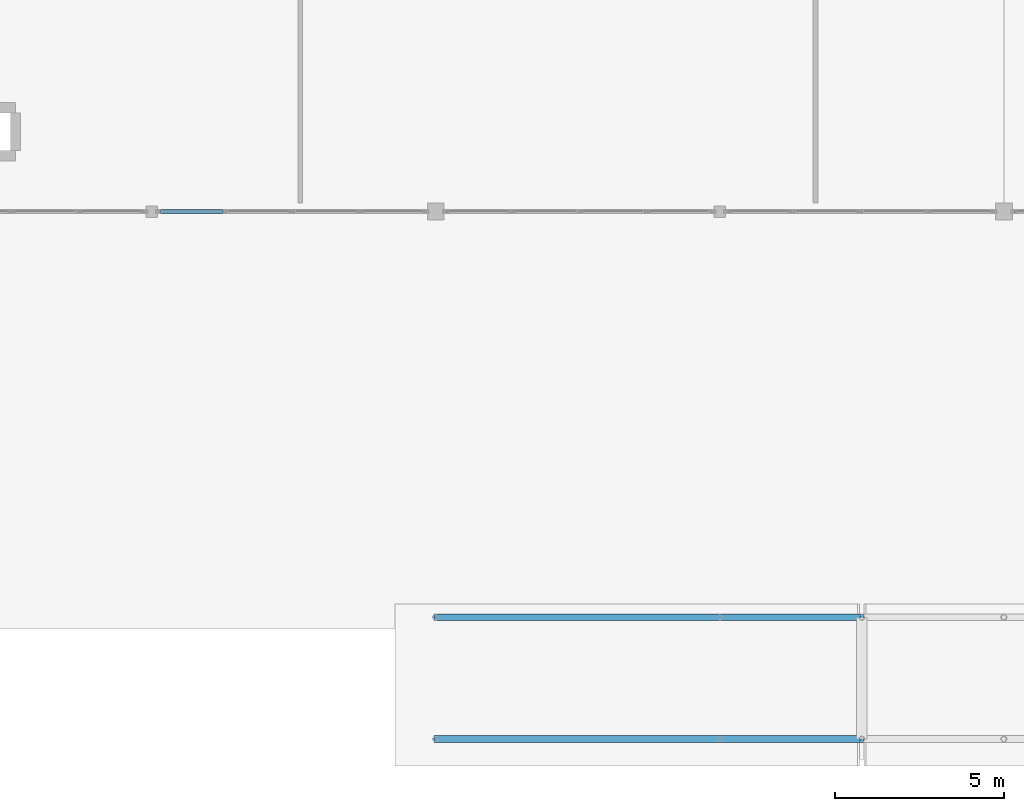
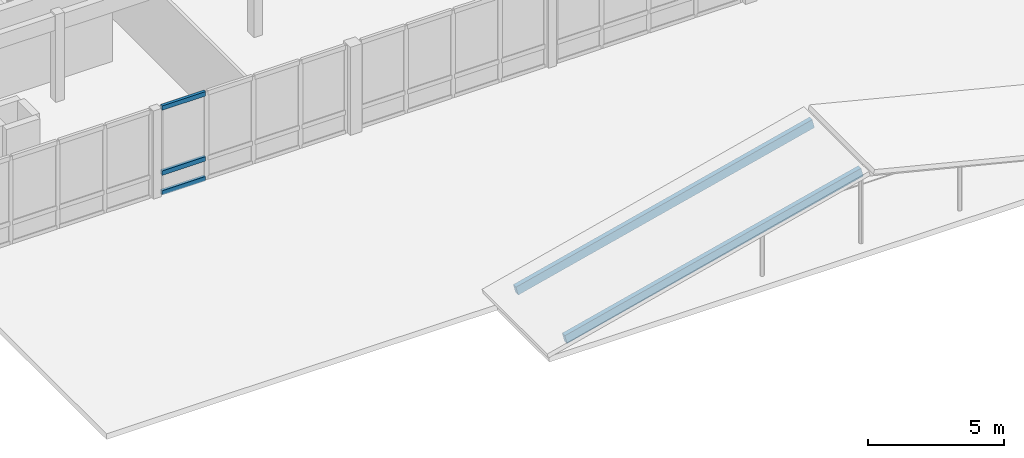
# One storey, part 39 of 217: 5 members, 1 element without a shape of its own.
"""IFC4 building model written with IfcOpenShell, lengths in metres."""

from ifc_helpers import new_model, si_unit, direction, frame, origin, origin_2d, place, context, subcontext, project, spatial, rectangle, hollow_rectangle, extrude, material, layer, layer_set, material_profile, profile_set, type_object, element, aggregate, save


model = new_model("IFC4")

# Units and contexts
model_context = context("Model", 3, precision=1e-05, world=origin(), true_north=direction((0.0, 1.0)))
body_context = subcontext(model_context, "Body", "Model", "MODEL_VIEW")
ifc_project = project(units=[si_unit("LENGTHUNIT", "METRE"), si_unit("AREAUNIT", "SQUARE_METRE"), si_unit("VOLUMEUNIT", "CUBIC_METRE"), si_unit("PLANEANGLEUNIT", "RADIAN"), si_unit("MASSUNIT", "GRAM", prefix="KILO")], contexts=[model_context])

# Site, building, storey
site_placement = place(None, origin())
site = spatial("IfcSite", under=ifc_project, at=site_placement, CompositionType="ELEMENT")
building_placement = place(site_placement, origin())
building = spatial("IfcBuilding", under=site, at=building_placement, Name="Mazaris Harbour Polytechnic", CompositionType="ELEMENT")
storey_placement = place(building_placement, frame((0.0, 0.0, 9.60009765625)))
storey = spatial("IfcBuildingStorey", under=building, at=storey_placement, Name="L02", CompositionType="ELEMENT", Elevation=9.60009765625)

# Curtain wall, members
ifc_material_1 = material(Name="Anodised Bronze Aluminium and Low-E Glass", Category="aluminium")
ifc_layer = layer(ifc_material_1, 0.179931640625, Name="Anodised Bronze Aluminium and Low-E Glass")
ifc_layer_set = layer_set([ifc_layer], Name="Anodised Bronze Aluminium and Low-E Glass")
curtain_wall_type = type_object("IfcCurtainWallType", Name="Harbour Colonnade Curtain Wall", PredefinedType="NOTDEFINED", material=ifc_layer_set)
curtain_wall_placement = place(storey_placement, origin())
curtain_wall = element("IfcCurtainWall", 1, at=curtain_wall_placement, inside=storey, type_object=curtain_wall_type, Name="V3 L02 Curtain Wall 80", PredefinedType="NOTDEFINED")
ifc_material_2 = material(Name="Anodised Bronze Steel S355", Category="steel")
ifc_material_profile_1 = material_profile(ifc_material_2, hollow_rectangle(XDim=0.1201171875, YDim=0.199951171875, WallThickness=0.008056640625, at=origin_2d()), Name="RHS 120x200x8.0")
ifc_profile_set_1 = profile_set([ifc_material_profile_1], Name="Anodised Bronze Steel S355")
member_type_1 = type_object("IfcMemberType", Name="Curtain Transom RHS120x200", PredefinedType="USERDEFINED", material=ifc_profile_set_1)
member_1_placement = place(storey_placement, frame((64.510986328125, 14.39990234375, 0.059814453125), z_axis=(-1.0, 0.0, 0.0), x_axis=(0.0, -1.0, 0.0)))
member_1 = element("IfcMember", 2, at=member_1_placement, type_object=member_type_1, Name="CW-01 transom 4.1", ObjectType="TRANSOM", PredefinedType="USERDEFINED", context=body_context, shape_type="SweptSolid", body=[
    extrude(hollow_rectangle(XDim=0.1201171875, YDim=0.199951171875, WallThickness=0.008056640625, at=origin_2d()), origin(), (0.0, 0.0, 1.0), 1.848876953125),
])
member_2_placement = place(storey_placement, frame((64.510986328125, 14.39990234375, 0.949951171875), z_axis=(-1.0, 0.0, 0.0), x_axis=(0.0, -1.0, 0.0)))
member_2 = element("IfcMember", 3, at=member_2_placement, type_object=member_type_1, Name="CW-01 transom 4.2", ObjectType="TRANSOM", PredefinedType="USERDEFINED", context=body_context, shape_type="SweptSolid", body=[
    extrude(hollow_rectangle(XDim=0.1201171875, YDim=0.199951171875, WallThickness=0.008056640625, at=origin_2d()), origin(), (0.0, 0.0, 1.0), 1.848876953125),
])
member_3_placement = place(storey_placement, frame((64.510986328125, 14.39990234375, 3.875), z_axis=(-1.0, 0.0, 0.0), x_axis=(0.0, -1.0, 0.0)))
member_3 = element("IfcMember", 4, at=member_3_placement, type_object=member_type_1, Name="CW-01 transom 4.3", ObjectType="TRANSOM", PredefinedType="USERDEFINED", context=body_context, shape_type="SweptSolid", body=[
    extrude(hollow_rectangle(XDim=0.1201171875, YDim=0.199951171875, WallThickness=0.008056640625, at=origin_2d()), origin(), (0.0, 0.0, 1.0), 1.848876953125),
])
aggregate(curtain_wall, [member_1, member_2, member_3])

# Members
ifc_material_3 = material(Name="Glulam GL28h", Category="wood")
ifc_material_profile_2 = material_profile(ifc_material_3, rectangle(XDim=0.199951171875, YDim=0.39990234375, at=origin_2d()), Name="RECT200x400")
ifc_profile_set_2 = profile_set([ifc_material_profile_2], Name="Glulam GL28h")
member_type_2 = type_object("IfcMemberType", Name="Glulam Roof Rafter 200x400 Exterior", PredefinedType="RAFTER", material=ifc_profile_set_2)
for number, where, z_axis, x_axis, name in (
    (5, (70.800048828125, -1.199951171875, 0.099853515625), (0.970681103675, 0.0, 0.240370952837), (0.0, 1.0, 0.0), "Portico Pediment West Rafter -1.2"),
    (6, (70.800048828125, 2.39990234375, 0.099853515625), (0.970681103675, 0.0, 0.240370952837), (0.0, 1.0, 0.0), "Portico Pediment West Rafter 2.4"),
):
    element("IfcMember", number, at=place(storey_placement, frame(where, z_axis=z_axis, x_axis=x_axis)), inside=storey, type_object=member_type_2, Name=name, PredefinedType="RAFTER", context=body_context, shape_type="SweptSolid", body=[
        extrude(rectangle(XDim=0.199951171875, YDim=0.39990234375, at=origin_2d()), origin(), (0.0, 0.0, 1.0), 12.98046875),
    ])

save(model, "model.ifc")
